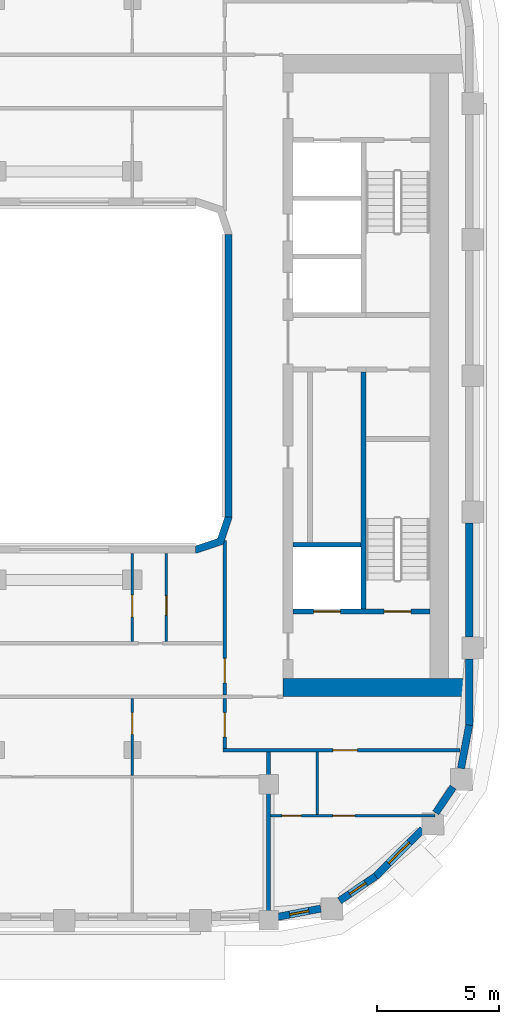
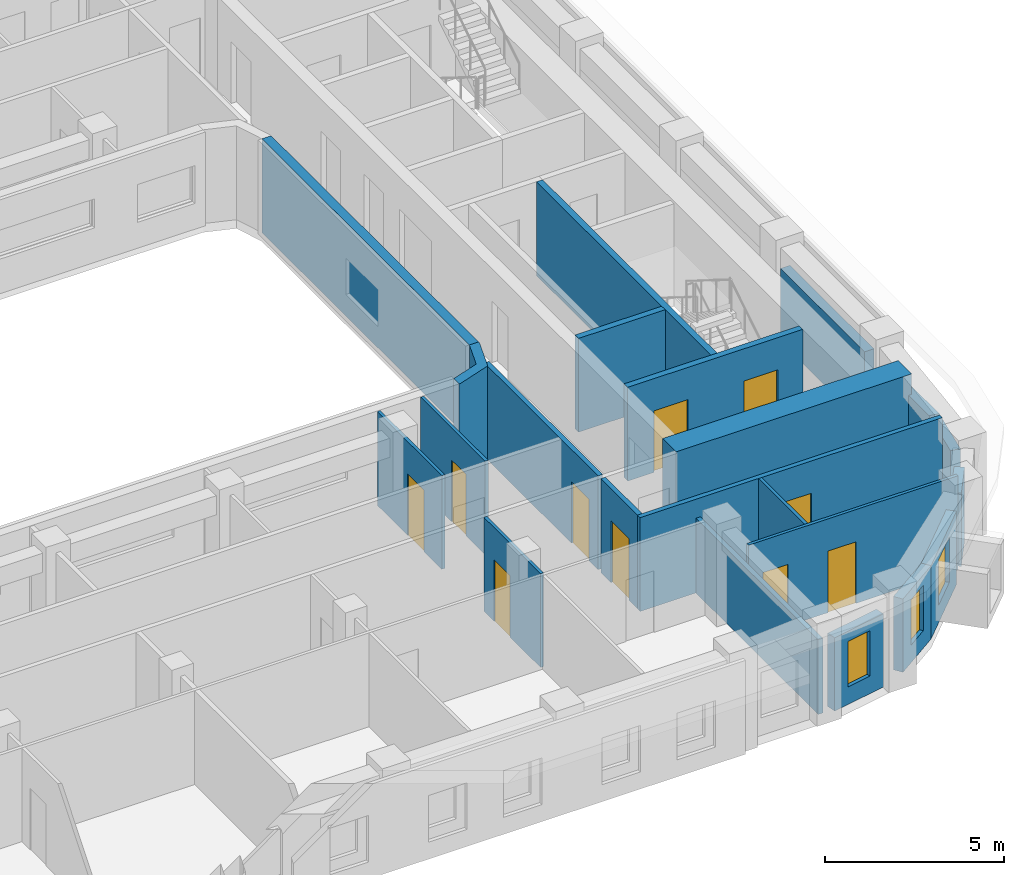
# One storey, part 5 of 21: 22 walls, 10 doors, 3 windows, 13 openings.
"""IFC4 building model written with IfcOpenShell, lengths in metres."""

from ifc_helpers import new_model, si_unit, direction, frame, frame_2d, origin, place, context, subcontext, project, spatial, polyline, rectangle, outline, extrude, material, layer, layer_set, type_object, element, fill, save


model = new_model("IFC4")

# Units and contexts
model_context = context("Model", 3, precision=1e-05, world=origin(), true_north=direction((0.0, 1.0)))
body_context = subcontext(model_context, "Body", "Model", "MODEL_VIEW")
ifc_project = project(units=[si_unit("LENGTHUNIT", "METRE"), si_unit("AREAUNIT", "SQUARE_METRE"), si_unit("VOLUMEUNIT", "CUBIC_METRE"), si_unit("PLANEANGLEUNIT", "RADIAN"), si_unit("MASSUNIT", "GRAM", prefix="KILO")], contexts=[model_context])

# Site, building, storey
site_placement = place(None, origin())
site = spatial("IfcSite", under=ifc_project, at=site_placement, CompositionType="ELEMENT")
building_placement = place(site_placement, origin())
building = spatial("IfcBuilding", under=site, at=building_placement, Name="Kiln Ring Residences", CompositionType="ELEMENT")
storey_placement = place(building_placement, frame((0.0, 0.0, 199.39990234375)))
storey = spatial("IfcBuildingStorey", under=building, at=storey_placement, Name="L51", CompositionType="ELEMENT", Elevation=199.39990234375)

# Walls
ifc_material_1 = material(Name="Gypsum shaft wall system")
ifc_layer_1 = layer(ifc_material_1, 0.199951171875)
ifc_layer_set_1 = layer_set([ifc_layer_1], Name="CORE-SHAFT-WALL-200")
wall_type_1 = type_object("IfcWallType", Name="CORE-SHAFT-WALL-200", PredefinedType="PARTITIONING", material=ifc_layer_set_1)
wall_1_placement = place(storey_placement, frame((17.800048828125, -6.949951171875, 0.0), z_axis=(0.0, 0.0, 1.0), x_axis=(1.0, 0.0, 0.0)))
element("IfcWall", 1, at=wall_1_placement, inside=storey, type_object=wall_type_1, Name="Core partition east L51 3", PredefinedType="PARTITIONING", context=body_context, shape_type="SweptSolid", body=[
    extrude(rectangle(XDim=2.800048828125, YDim=0.199951171875, at=frame_2d((1.39990234375, 0.0))), origin(), (0.0, 0.0, 1.0), 3.2001953125),
])
ifc_material_2 = material(Name="Concrete C40/50", Category="concrete")
ifc_layer_2 = layer(ifc_material_2, 0.199951171875)
ifc_layer_set_2 = layer_set([ifc_layer_2], Name="CORE-WALL-RC200")
wall_type_2 = type_object("IfcWallType", Name="CORE-WALL-RC200", PredefinedType="SHEAR", material=ifc_layer_set_2)
wall_2_placement = place(storey_placement, frame((20.699951171875, -9.60009765625, 0.0), z_axis=(0.0, 0.0, 1.0), x_axis=(0.0, 1.0, 0.0)))
element("IfcWall", 2, at=wall_2_placement, inside=storey, type_object=wall_type_2, Name="Core wall east L51 2", PredefinedType="SHEAR", context=body_context, shape_type="SweptSolid", body=[
    extrude(rectangle(XDim=9.75, YDim=0.199951171875, at=frame_2d((4.875, 0.0))), origin(), (0.0, 0.0, 1.0), 3.2001953125),
])

# Wall, openings, doors
wall_3_placement = place(storey_placement, frame((17.800048828125, -9.699951171875, 0.0), z_axis=(0.0, 0.0, 1.0), x_axis=(1.0, 0.0, 0.0)))
wall_3 = element("IfcWall", 3, at=wall_3_placement, inside=storey, type_object=wall_type_2, Name="Core wall east L51 8", PredefinedType="SHEAR", context=body_context, shape_type="SweptSolid", body=[
    extrude(rectangle(XDim=5.64990234375, YDim=0.199951171875, at=frame_2d((2.824951171875, 0.0))), origin(), (0.0, 0.0, 1.0), 3.2001953125),
])
opening_1_placement = place(wall_3_placement, frame((0.85009765625, 0.0, 0.0)))
opening_1 = element("IfcOpeningElement", 4, at=opening_1_placement, cuts=wall_3, Name="Opening L51-CE01", PredefinedType="OPENING", context=body_context, shape_type="SweptSolid", body=[
    extrude(rectangle(XDim=1.10009765625, YDim=2.10009765625, at=frame_2d((0.550048828125, 1.050048828125))), frame((0.0, 0.10986328125, 0.0), z_axis=(0.0, -1.0, 0.0), x_axis=(1.0, 0.0, 0.0)), (0.0, 0.0, 1.0), 0.219970703125),
])
opening_2_placement = place(wall_3_placement, frame((3.75, 0.0, 0.0)))
opening_2 = element("IfcOpeningElement", 5, at=opening_2_placement, cuts=wall_3, Name="Opening L51-CE10", PredefinedType="OPENING", context=body_context, shape_type="SweptSolid", body=[
    extrude(rectangle(XDim=1.10009765625, YDim=2.10009765625, at=frame_2d((0.550048828125, 1.050048828125))), frame((0.0, 0.10986328125, 0.0), z_axis=(0.0, -1.0, 0.0), x_axis=(1.0, 0.0, 0.0)), (0.0, 0.0, 1.0), 0.219970703125),
])
ifc_material_3 = material(Name="Steel door leaf", Category="steel")
door_type_1 = type_object("IfcDoorType", Name="CORE-DOOR-LD", OperationType="DOUBLE_DOOR_SLIDING", PredefinedType="DOOR", material=ifc_material_3)
door_1_placement = place(opening_1_placement, origin())
door_1 = element("IfcDoor", 6, at=door_1_placement, inside=storey, type_object=door_type_1, Name="LD E-SV L51-CE01", OperationType="DOUBLE_DOOR_SLIDING", OverallHeight=2.10009765625, OverallWidth=1.10009765625, PredefinedType="DOOR", context=body_context, shape_type="SweptSolid", body=[
    extrude(rectangle(XDim=1.10009765625, YDim=2.10009765625, at=frame_2d((0.550048828125, 1.050048828125))), frame((0.0, 0.02490234375, 0.0), z_axis=(0.0, -1.0, 0.0), x_axis=(1.0, 0.0, 0.0)), (0.0, 0.0, 1.0), 0.050048828125),
])
fill(opening_1, door_1)
ifc_material_4 = material(Name="Steel door leaf", Category="steel")
door_type_2 = type_object("IfcDoorType", Name="CORE-DOOR-STAIR", OperationType="SINGLE_SWING_LEFT", PredefinedType="DOOR", material=ifc_material_4)
door_2_placement = place(opening_2_placement, origin())
door_2 = element("IfcDoor", 7, at=door_2_placement, inside=storey, type_object=door_type_2, Name="Stair E-STS L51-CE10", OperationType="SINGLE_SWING_RIGHT", OverallHeight=2.10009765625, OverallWidth=1.10009765625, PredefinedType="DOOR", context=body_context, shape_type="SweptSolid", body=[
    extrude(rectangle(XDim=1.10009765625, YDim=2.10009765625, at=frame_2d((0.550048828125, 1.050048828125))), frame((0.0, 0.02490234375, 0.0), z_axis=(0.0, -1.0, 0.0), x_axis=(1.0, 0.0, 0.0)), (0.0, 0.0, 1.0), 0.050048828125),
])
fill(opening_2, door_2)

# Wall
ifc_material_5 = material(Name="Concrete C60/75", Category="concrete")
ifc_layer_3 = layer(ifc_material_5, 0.75)
ifc_layer_set_3 = layer_set([ifc_layer_3], Name="CORE-WALL-RC750")
wall_type_3 = type_object("IfcWallType", Name="CORE-WALL-RC750", PredefinedType="SHEAR", material=ifc_layer_set_3)
wall_4_placement = place(storey_placement, frame((17.39990234375, -12.824951171875, 0.0), z_axis=(0.0, 0.0, 1.0), x_axis=(1.0, 0.0, 0.0)))
element("IfcWall", 8, at=wall_4_placement, inside=storey, type_object=wall_type_3, Name="Core wall east L51 5", PredefinedType="SHEAR", context=body_context, shape_type="SweptSolid", body=[
    extrude(rectangle(XDim=7.60009765625, YDim=0.75, at=frame_2d((3.800048828125, 0.0))), origin(), (0.0, 0.0, 1.0), 3.2001953125),
])

# Wall, opening, window
ifc_material_6 = material(Name="Brick masonry, dark clay brick", Category="masonry")
ifc_layer_4 = layer(ifc_material_6, 0.300048828125)
ifc_layer_set_4 = layer_set([ifc_layer_4], Name="EW-300 BRICK WALL")
wall_type_4 = type_object("IfcWallType", Name="EW-300 BRICK WALL", PredefinedType="SOLIDWALL", material=ifc_layer_set_4)
wall_5_placement = place(storey_placement, frame((17.178955078125, -22.251220703125, 0.0), z_axis=(0.0, 0.0, 1.0), x_axis=(0.98230529033, 0.187286722942, 0.0)))
wall_5 = element("IfcWall", 9, at=wall_5_placement, inside=storey, type_object=wall_type_4, Name="Facade wall L51 11", PredefinedType="SOLIDWALL", context=body_context, shape_type="SweptSolid", body=[
    extrude(rectangle(XDim=1.798828125, YDim=0.300048828125, at=frame_2d((0.8994140625, 0.0))), origin(), (0.0, 0.0, 1.0), 2.5),
])
opening_3_placement = place(wall_5_placement, frame((0.49951171875, 0.0, 0.60009765625)))
opening_3 = element("IfcOpeningElement", 10, at=opening_3_placement, cuts=wall_5, Name="Opening W5", PredefinedType="OPENING", context=body_context, shape_type="SweptSolid", body=[
    extrude(rectangle(XDim=0.800048828125, YDim=1.550048828125, at=frame_2d((0.39990234375, 0.77490234375))), frame((0.0, 0.159912109375, 0.0), z_axis=(0.0, -1.0, 0.0), x_axis=(1.0, 0.0, 0.0)), (0.0, 0.0, 1.0), 0.320068359375),
])
ifc_material_7 = material(Name="Aluminium frame with double glazing", Category="aluminium")
window_type_1 = type_object("IfcWindowType", Name="WINDOW 800 x 1550", PartitioningType="SINGLE_PANEL", PredefinedType="WINDOW", material=ifc_material_7)
window_1_placement = place(opening_3_placement, origin())
window_1 = element("IfcWindow", 11, at=window_1_placement, inside=storey, type_object=window_type_1, Name="Window L51 14", OverallHeight=1.550048828125, OverallWidth=0.800048828125, PartitioningType="SINGLE_PANEL", PredefinedType="WINDOW", context=body_context, shape_type="SweptSolid", body=[
    extrude(rectangle(XDim=0.800048828125, YDim=1.550048828125, at=frame_2d((0.39990234375, 0.77490234375))), frame((0.0, 0.030029296875, 0.0), z_axis=(0.0, -1.0, 0.0), x_axis=(1.0, 0.0, 0.0)), (0.0, 0.0, 1.0), 0.06005859375),
])
fill(opening_3, window_1)

wall_6_placement = place(storey_placement, frame((19.718994140625, -21.593994140625, 0.0), z_axis=(0.0, 0.0, 1.0), x_axis=(0.827067282455, 0.562102935673, 0.0)))
wall_6 = element("IfcWall", 12, at=wall_6_placement, inside=storey, type_object=wall_type_4, Name="Facade wall L51 12", PredefinedType="SOLIDWALL", context=body_context, shape_type="SweptSolid", body=[
    extrude(rectangle(XDim=1.805908203125, YDim=0.300048828125, at=frame_2d((0.90283203125, 0.0))), origin(), (0.0, 0.0, 1.0), 2.5),
])
opening_4_placement = place(wall_6_placement, frame((0.5029296875, 0.0, 0.60009765625)))
opening_4 = element("IfcOpeningElement", 13, at=opening_4_placement, cuts=wall_6, Name="Opening W5", PredefinedType="OPENING", context=body_context, shape_type="SweptSolid", body=[
    extrude(rectangle(XDim=0.800048828125, YDim=1.550048828125, at=frame_2d((0.39990234375, 0.77490234375))), frame((0.0, 0.159912109375, 0.0), z_axis=(0.0, -1.0, 0.0), x_axis=(1.0, 0.0, 0.0)), (0.0, 0.0, 1.0), 0.320068359375),
])
window_2_placement = place(opening_4_placement, origin())
window_2 = element("IfcWindow", 14, at=window_2_placement, inside=storey, type_object=window_type_1, Name="Window L51 15", OverallHeight=1.550048828125, OverallWidth=0.800048828125, PartitioningType="SINGLE_PANEL", PredefinedType="WINDOW", context=body_context, shape_type="SweptSolid", body=[
    extrude(rectangle(XDim=0.800048828125, YDim=1.550048828125, at=frame_2d((0.39990234375, 0.77490234375))), frame((0.0, 0.030029296875, 0.0), z_axis=(0.0, -1.0, 0.0), x_axis=(1.0, 0.0, 0.0)), (0.0, 0.0, 1.0), 0.06005859375),
])
fill(opening_4, window_2)

wall_7_placement = place(storey_placement, frame((21.19091796875, -20.596923828125, 0.0), z_axis=(0.0, 0.0, 1.0), x_axis=(0.707106781187, 0.707106781187, 0.0)))
wall_7 = element("IfcWall", 15, at=wall_7_placement, inside=storey, type_object=wall_type_4, Name="Facade wall L51 13", PredefinedType="SOLIDWALL", context=body_context, shape_type="SweptSolid", body=[
    extrude(rectangle(XDim=2.75, YDim=0.300048828125, at=frame_2d((1.375, 0.0))), origin(), (0.0, 0.0, 1.0), 2.5),
])
opening_5_placement = place(wall_7_placement, frame((0.77490234375, 0.0, 0.60009765625)))
opening_5 = element("IfcOpeningElement", 16, at=opening_5_placement, cuts=wall_7, Name="Opening W1", PredefinedType="OPENING", context=body_context, shape_type="SweptSolid", body=[
    extrude(rectangle(XDim=1.199951171875, YDim=1.550048828125, at=frame_2d((0.60009765625, 0.77490234375))), frame((0.0, 0.159912109375, 0.0), z_axis=(0.0, -1.0, 0.0), x_axis=(1.0, 0.0, 0.0)), (0.0, 0.0, 1.0), 0.320068359375),
])
ifc_material_8 = material(Name="Aluminium frame with double glazing", Category="aluminium")
window_type_2 = type_object("IfcWindowType", Name="WINDOW 1200 x 1550", PartitioningType="SINGLE_PANEL", PredefinedType="WINDOW", material=ifc_material_8)
window_3_placement = place(opening_5_placement, origin())
window_3 = element("IfcWindow", 17, at=window_3_placement, inside=storey, type_object=window_type_2, Name="Window L51 16", OverallHeight=1.550048828125, OverallWidth=1.199951171875, PartitioningType="SINGLE_PANEL", PredefinedType="WINDOW", context=body_context, shape_type="SweptSolid", body=[
    extrude(rectangle(XDim=1.199951171875, YDim=1.550048828125, at=frame_2d((0.60009765625, 0.77490234375))), frame((0.0, 0.030029296875, 0.0), z_axis=(0.0, -1.0, 0.0), x_axis=(1.0, 0.0, 0.0)), (0.0, 0.0, 1.0), 0.06005859375),
])
fill(opening_5, window_3)

# Walls
wall_8_placement = place(storey_placement, frame((23.67626953125, -17.975341796875, 0.0), z_axis=(0.0, 0.0, 1.0), x_axis=(0.56200149592, 0.827136215253, 0.0)))
element("IfcWall", 18, at=wall_8_placement, inside=storey, type_object=wall_type_4, Name="Facade wall L51 14", PredefinedType="SOLIDWALL", context=body_context, shape_type="SweptSolid", body=[
    extrude(rectangle(XDim=1.277099609375, YDim=0.300048828125, at=frame_2d((0.638671875, 0.0))), origin(), (0.0, 0.0, 1.0), 2.5),
])
wall_9_placement = place(storey_placement, frame((24.71435546875, -16.14599609375, 0.0), z_axis=(0.0, 0.0, 1.0), x_axis=(0.187348135549, 0.982293579388, 0.0)))
element("IfcWall", 19, at=wall_9_placement, inside=storey, type_object=wall_type_4, Name="Facade wall L51 15", PredefinedType="SOLIDWALL", context=body_context, shape_type="SweptSolid", body=[
    extrude(rectangle(XDim=1.80615234375, YDim=0.300048828125, at=frame_2d((0.903076171875, 0.0))), origin(), (0.0, 0.0, 1.0), 2.5),
])
wall_10_placement = place(storey_placement, frame((25.050048828125, -14.39990234375, 0.0), z_axis=(0.0, 0.0, 1.0), x_axis=(0.0, 1.0, 0.0)))
element("IfcWall", 20, at=wall_10_placement, inside=storey, type_object=wall_type_4, Name="Facade wall L51 16", PredefinedType="SOLIDWALL", context=body_context, shape_type="SweptSolid", body=[
    extrude(rectangle(XDim=2.75, YDim=0.300048828125, at=frame_2d((1.375, 0.0))), origin(), (0.0, 0.0, 1.0), 2.5),
])
wall_11_placement = place(storey_placement, frame((25.050048828125, -10.75, 0.0), z_axis=(0.0, 0.0, 1.0), x_axis=(0.0, 1.0, 0.0)))
element("IfcWall", 21, at=wall_11_placement, inside=storey, type_object=wall_type_4, Name="Facade wall L51 17", PredefinedType="SOLIDWALL", context=body_context, shape_type="SweptSolid", body=[
    extrude(rectangle(XDim=4.699951171875, YDim=0.300048828125, at=frame_2d((2.35009765625, 0.0))), origin(), (0.0, 0.0, 1.0), 2.5),
])
wall_12_placement = place(storey_placement, frame((15.14990234375, 5.800048828125, 0.0), z_axis=(0.0, 0.0, 1.0), x_axis=(0.0, -1.0, 0.0)))
element("IfcWall", 22, at=wall_12_placement, inside=storey, type_object=wall_type_4, Name="Facade wall L51 49", PredefinedType="SOLIDWALL", context=body_context, shape_type="SweptSolid", body=[
    extrude(rectangle(XDim=11.60009765625, YDim=0.300048828125, at=frame_2d((5.800048828125, 0.0))), origin(), (0.0, 0.0, 1.0), 3.2001953125),
])
wall_13_placement = place(storey_placement, origin())
element("IfcWall", 23, at=wall_13_placement, inside=storey, type_object=wall_type_4, Name="Corner wall L51 3", PredefinedType="SOLIDWALL", context=body_context, shape_type="SweptSolid", body=[
    extrude(outline(polyline([(14.937255859375, -6.937255859375), (15.300048828125, -5.8486328125), (15.300048828125, -5.800048828125), (15.0, -5.800048828125), (14.699951171875, -6.699951171875), (13.800048828125, -7.0), (13.800048828125, -7.300048828125), (13.8486328125, -7.300048828125), (14.937255859375, -6.937255859375)])), origin(), (0.0, 0.0, 1.0), 3.2001953125),
])

# Wall, openings, doors
ifc_material_9 = material(Name="Gypsum board on steel studs", Category="steel")
ifc_layer_5 = layer(ifc_material_9, 0.10009765625)
ifc_layer_set_5 = layer_set([ifc_layer_5], Name="PARTITION-100")
wall_type_5 = type_object("IfcWallType", Name="PARTITION-100", PredefinedType="PARTITIONING", material=ifc_layer_set_5)
wall_14_placement = place(storey_placement, frame((16.875, -18.10009765625, 0.0), z_axis=(0.0, 0.0, 1.0), x_axis=(1.0, 0.0, 0.0)))
wall_14 = element("IfcWall", 24, at=wall_14_placement, inside=storey, type_object=wall_type_5, Name="Partition 001", PredefinedType="PARTITIONING", context=body_context, shape_type="SweptSolid", body=[
    extrude(rectangle(XDim=6.764892578125, YDim=0.10009765625, at=frame_2d((3.38232421875, 0.0))), origin(), (0.0, 0.0, 1.0), 3.2001953125),
])
opening_6_placement = place(wall_14_placement, frame((0.47509765625, 0.0, 0.0)))
opening_6 = element("IfcOpeningElement", 25, at=opening_6_placement, cuts=wall_14, Name="Opening L51-D058", PredefinedType="OPENING", context=body_context, shape_type="SweptSolid", body=[
    extrude(rectangle(XDim=0.800048828125, YDim=2.10009765625, at=frame_2d((0.39990234375, 1.050048828125))), frame((0.0, 0.06005859375, 0.0), z_axis=(0.0, -1.0, 0.0), x_axis=(1.0, 0.0, 0.0)), (0.0, 0.0, 1.0), 0.1201171875),
])
opening_7_placement = place(wall_14_placement, frame((2.574951171875, 0.0, 0.0)))
opening_7 = element("IfcOpeningElement", 26, at=opening_7_placement, cuts=wall_14, Name="Opening L51-D059", PredefinedType="OPENING", context=body_context, shape_type="SweptSolid", body=[
    extrude(rectangle(XDim=0.89990234375, YDim=2.10009765625, at=frame_2d((0.449951171875, 1.050048828125))), frame((0.0, 0.06005859375, 0.0), z_axis=(0.0, -1.0, 0.0), x_axis=(1.0, 0.0, 0.0)), (0.0, 0.0, 1.0), 0.1201171875),
])
ifc_material_10 = material(Name="Timber door leaf", Category="wood")
door_type_3 = type_object("IfcDoorType", Name="FLAT-DOOR-800-PL", OperationType="SINGLE_SWING_LEFT", PredefinedType="DOOR", material=ifc_material_10)
door_3_placement = place(opening_6_placement, origin())
door_3 = element("IfcDoor", 27, at=door_3_placement, inside=storey, type_object=door_type_3, Name="Door L51-D058", OperationType="SINGLE_SWING_RIGHT", OverallHeight=2.10009765625, OverallWidth=0.800048828125, PredefinedType="DOOR", context=body_context, shape_type="SweptSolid", body=[
    extrude(rectangle(XDim=0.800048828125, YDim=2.10009765625, at=frame_2d((0.39990234375, 1.050048828125))), frame((0.0, 0.02490234375, 0.0), z_axis=(0.0, -1.0, 0.0), x_axis=(1.0, 0.0, 0.0)), (0.0, 0.0, 1.0), 0.050048828125),
])
fill(opening_6, door_3)
ifc_material_11 = material(Name="Timber door leaf", Category="wood")
door_type_4 = type_object("IfcDoorType", Name="FLAT-DOOR-900-PL", OperationType="SINGLE_SWING_LEFT", PredefinedType="DOOR", material=ifc_material_11)
door_4_placement = place(opening_7_placement, origin())
door_4 = element("IfcDoor", 28, at=door_4_placement, inside=storey, type_object=door_type_4, Name="Door L51-D059", OperationType="SINGLE_SWING_LEFT", OverallHeight=2.10009765625, OverallWidth=0.89990234375, PredefinedType="DOOR", context=body_context, shape_type="SweptSolid", body=[
    extrude(rectangle(XDim=0.89990234375, YDim=2.10009765625, at=frame_2d((0.449951171875, 1.050048828125))), frame((0.0, 0.02490234375, 0.0), z_axis=(0.0, -1.0, 0.0), x_axis=(1.0, 0.0, 0.0)), (0.0, 0.0, 1.0), 0.050048828125),
])
fill(opening_7, door_4)

# Wall, opening, door
wall_15_placement = place(storey_placement, frame((11.199951171875, -16.449951171875, 0.0), z_axis=(0.0, 0.0, 1.0), x_axis=(0.0, 1.0, 0.0)))
wall_15 = element("IfcWall", 29, at=wall_15_placement, inside=storey, type_object=wall_type_5, Name="Partition 051", PredefinedType="PARTITIONING", context=body_context, shape_type="SweptSolid", body=[
    extrude(rectangle(XDim=3.175048828125, YDim=0.10009765625, at=frame_2d((1.58740234375, 0.0))), origin(), (0.0, 0.0, 1.0), 3.2001953125),
])
opening_8_placement = place(wall_15_placement, frame((1.698974609375, 0.0, 0.0)))
opening_8 = element("IfcOpeningElement", 30, at=opening_8_placement, cuts=wall_15, Name="Opening L51-D052", PredefinedType="OPENING", context=body_context, shape_type="SweptSolid", body=[
    extrude(rectangle(XDim=0.89990234375, YDim=2.10009765625, at=frame_2d((0.449951171875, 1.050048828125))), frame((0.0, 0.06005859375, 0.0), z_axis=(0.0, -1.0, 0.0), x_axis=(1.0, 0.0, 0.0)), (0.0, 0.0, 1.0), 0.1201171875),
])
door_5_placement = place(opening_8_placement, origin())
door_5 = element("IfcDoor", 31, at=door_5_placement, inside=storey, type_object=door_type_4, Name="Door L51-D052", OperationType="SINGLE_SWING_LEFT", OverallHeight=2.10009765625, OverallWidth=0.89990234375, PredefinedType="DOOR", context=body_context, shape_type="SweptSolid", body=[
    extrude(rectangle(XDim=0.89990234375, YDim=2.10009765625, at=frame_2d((0.449951171875, 1.050048828125))), frame((0.0, 0.02490234375, 0.0), z_axis=(0.0, -1.0, 0.0), x_axis=(1.0, 0.0, 0.0)), (0.0, 0.0, 1.0), 0.050048828125),
])
fill(opening_8, door_5)

wall_16_placement = place(storey_placement, frame((11.199951171875, -10.925048828125, 0.0), z_axis=(0.0, 0.0, 1.0), x_axis=(0.0, 1.0, 0.0)))
wall_16 = element("IfcWall", 32, at=wall_16_placement, inside=storey, type_object=wall_type_5, Name="Partition 052", PredefinedType="PARTITIONING", context=body_context, shape_type="SweptSolid", body=[
    extrude(rectangle(XDim=3.60498046875, YDim=0.10009765625, at=frame_2d((1.802490234375, 0.0))), origin(), (0.0, 0.0, 1.0), 3.2001953125),
])
opening_9_placement = place(wall_16_placement, frame((1.0048828125, 0.0, 0.0)))
opening_9 = element("IfcOpeningElement", 33, at=opening_9_placement, cuts=wall_16, Name="Opening L51-D043", PredefinedType="OPENING", context=body_context, shape_type="SweptSolid", body=[
    extrude(rectangle(XDim=0.89990234375, YDim=2.10009765625, at=frame_2d((0.449951171875, 1.050048828125))), frame((0.0, 0.06005859375, 0.0), z_axis=(0.0, -1.0, 0.0), x_axis=(1.0, 0.0, 0.0)), (0.0, 0.0, 1.0), 0.1201171875),
])
door_6_placement = place(opening_9_placement, origin())
door_6 = element("IfcDoor", 34, at=door_6_placement, inside=storey, type_object=door_type_4, Name="Door L51-D043", OperationType="SINGLE_SWING_RIGHT", OverallHeight=2.10009765625, OverallWidth=0.89990234375, PredefinedType="DOOR", context=body_context, shape_type="SweptSolid", body=[
    extrude(rectangle(XDim=0.89990234375, YDim=2.10009765625, at=frame_2d((0.449951171875, 1.050048828125))), frame((0.0, 0.02490234375, 0.0), z_axis=(0.0, -1.0, 0.0), x_axis=(1.0, 0.0, 0.0)), (0.0, 0.0, 1.0), 0.050048828125),
])
fill(opening_9, door_6)

wall_17_placement = place(storey_placement, frame((12.60009765625, -10.925048828125, 0.0), z_axis=(0.0, 0.0, 1.0), x_axis=(0.0, 1.0, 0.0)))
wall_17 = element("IfcWall", 35, at=wall_17_placement, inside=storey, type_object=wall_type_5, Name="Partition 056", PredefinedType="PARTITIONING", context=body_context, shape_type="SweptSolid", body=[
    extrude(rectangle(XDim=3.60498046875, YDim=0.10009765625, at=frame_2d((1.802490234375, 0.0))), origin(), (0.0, 0.0, 1.0), 3.2001953125),
])
opening_10_placement = place(wall_17_placement, frame((1.075927734375, 0.0, 0.0)))
opening_10 = element("IfcOpeningElement", 36, at=opening_10_placement, cuts=wall_17, Name="Opening L51-D042", PredefinedType="OPENING", context=body_context, shape_type="SweptSolid", body=[
    extrude(rectangle(XDim=0.800048828125, YDim=2.10009765625, at=frame_2d((0.39990234375, 1.050048828125))), frame((0.0, 0.06005859375, 0.0), z_axis=(0.0, -1.0, 0.0), x_axis=(1.0, 0.0, 0.0)), (0.0, 0.0, 1.0), 0.1201171875),
])
door_7_placement = place(opening_10_placement, origin())
door_7 = element("IfcDoor", 37, at=door_7_placement, inside=storey, type_object=door_type_3, Name="Door L51-D042", OperationType="SINGLE_SWING_LEFT", OverallHeight=2.10009765625, OverallWidth=0.800048828125, PredefinedType="DOOR", context=body_context, shape_type="SweptSolid", body=[
    extrude(rectangle(XDim=0.800048828125, YDim=2.10009765625, at=frame_2d((0.39990234375, 1.050048828125))), frame((0.0, 0.02490234375, 0.0), z_axis=(0.0, -1.0, 0.0), x_axis=(1.0, 0.0, 0.0)), (0.0, 0.0, 1.0), 0.050048828125),
])
fill(opening_10, door_7)

# Wall
wall_18_placement = place(storey_placement, frame((18.800048828125, -18.050048828125, 0.0), z_axis=(0.0, 0.0, 1.0), x_axis=(0.0, 1.0, 0.0)))
element("IfcWall", 38, at=wall_18_placement, inside=storey, type_object=wall_type_5, Name="Partition 064", PredefinedType="PARTITIONING", context=body_context, shape_type="SweptSolid", body=[
    extrude(rectangle(XDim=2.574951171875, YDim=0.10009765625, at=frame_2d((1.28759765625, 0.0))), origin(), (0.0, 0.0, 1.0), 3.2001953125),
])

# Wall, opening, door
ifc_material_12 = material(Name="Brick masonry partition", Category="masonry")
ifc_layer_6 = layer(ifc_material_12, 0.14990234375)
ifc_layer_set_6 = layer_set([ifc_layer_6], Name="PARTITION-150-ei60")
wall_type_6 = type_object("IfcWallType", Name="PARTITION-150-ei60", PredefinedType="PARTITIONING", material=ifc_layer_set_6)
wall_19_placement = place(storey_placement, frame((14.925048828125, -15.39990234375, 0.0), z_axis=(0.0, 0.0, 1.0), x_axis=(1.0, 0.0, 0.0)))
wall_19 = element("IfcWall", 39, at=wall_19_placement, inside=storey, type_object=wall_type_6, Name="Partition 004", PredefinedType="PARTITIONING", context=body_context, shape_type="SweptSolid", body=[
    extrude(rectangle(XDim=9.7587890625, YDim=0.14990234375, at=frame_2d((4.87939453125, 0.0))), origin(), (0.0, 0.0, 1.0), 3.2001953125),
])
opening_11_placement = place(wall_19_placement, frame((4.52490234375, 0.0, 0.0)))
opening_11 = element("IfcOpeningElement", 40, at=opening_11_placement, cuts=wall_19, Name="Opening L51-D057", PredefinedType="OPENING", context=body_context, shape_type="SweptSolid", body=[
    extrude(rectangle(XDim=1.0, YDim=2.10009765625, at=frame_2d((0.5, 1.050048828125))), frame((0.0, 0.0849609375, 0.0), z_axis=(0.0, -1.0, 0.0), x_axis=(1.0, 0.0, 0.0)), (0.0, 0.0, 1.0), 0.169921875),
])
ifc_material_13 = material(Name="Steel faced fire door leaf", Category="steel")
door_type_5 = type_object("IfcDoorType", Name="FLAT-DOOR-1000-FR", OperationType="SINGLE_SWING_LEFT", PredefinedType="DOOR", material=ifc_material_13)
door_8_placement = place(opening_11_placement, origin())
door_8 = element("IfcDoor", 41, at=door_8_placement, inside=storey, type_object=door_type_5, Name="Door L51-D057", OperationType="SINGLE_SWING_LEFT", OverallHeight=2.10009765625, OverallWidth=1.0, PredefinedType="DOOR", context=body_context, shape_type="SweptSolid", body=[
    extrude(rectangle(XDim=1.0, YDim=2.10009765625, at=frame_2d((0.5, 1.050048828125))), frame((0.0, 0.02490234375, 0.0), z_axis=(0.0, -1.0, 0.0), x_axis=(1.0, 0.0, 0.0)), (0.0, 0.0, 1.0), 0.050048828125),
])
fill(opening_11, door_8)

wall_20_placement = place(storey_placement, frame((15.0, -15.324951171875, 0.0), z_axis=(0.0, 0.0, 1.0), x_axis=(0.0, 1.0, 0.0)))
wall_20 = element("IfcWall", 42, at=wall_20_placement, inside=storey, type_object=wall_type_6, Name="Partition 058", PredefinedType="PARTITIONING", context=body_context, shape_type="SweptSolid", body=[
    extrude(rectangle(XDim=2.050048828125, YDim=0.14990234375, at=frame_2d((1.02490234375, 0.0))), origin(), (0.0, 0.0, 1.0), 3.2001953125),
])
opening_12_placement = place(wall_20_placement, frame((0.47412109375, 0.0, 0.0)))
opening_12 = element("IfcOpeningElement", 43, at=opening_12_placement, cuts=wall_20, Name="Opening L51-D051", PredefinedType="OPENING", context=body_context, shape_type="SweptSolid", body=[
    extrude(rectangle(XDim=1.0, YDim=2.10009765625, at=frame_2d((0.5, 1.050048828125))), frame((0.0, 0.0849609375, 0.0), z_axis=(0.0, -1.0, 0.0), x_axis=(1.0, 0.0, 0.0)), (0.0, 0.0, 1.0), 0.169921875),
])
door_9_placement = place(opening_12_placement, origin())
door_9 = element("IfcDoor", 44, at=door_9_placement, inside=storey, type_object=door_type_5, Name="Door L51-D051", OperationType="SINGLE_SWING_LEFT", OverallHeight=2.10009765625, OverallWidth=1.0, PredefinedType="DOOR", context=body_context, shape_type="SweptSolid", body=[
    extrude(rectangle(XDim=1.0, YDim=2.10009765625, at=frame_2d((0.5, 1.050048828125))), frame((0.0, 0.02490234375, 0.0), z_axis=(0.0, -1.0, 0.0), x_axis=(1.0, 0.0, 0.0)), (0.0, 0.0, 1.0), 0.050048828125),
])
fill(opening_12, door_9)

wall_21_placement = place(storey_placement, frame((15.0, -13.125, 0.0), z_axis=(0.0, 0.0, 1.0), x_axis=(0.0, 1.0, 0.0)))
wall_21 = element("IfcWall", 45, at=wall_21_placement, inside=storey, type_object=wall_type_6, Name="Partition 059", PredefinedType="PARTITIONING", context=body_context, shape_type="SweptSolid", body=[
    extrude(rectangle(XDim=6.356201171875, YDim=0.14990234375, at=frame_2d((3.17822265625, 0.0))), origin(), (0.0, 0.0, 1.0), 3.2001953125),
])
opening_13_placement = place(wall_21_placement, frame((0.49609375, 0.0, 0.0)))
opening_13 = element("IfcOpeningElement", 46, at=opening_13_placement, cuts=wall_21, Name="Opening L51-D006", PredefinedType="OPENING", context=body_context, shape_type="SweptSolid", body=[
    extrude(rectangle(XDim=1.0, YDim=2.10009765625, at=frame_2d((0.5, 1.050048828125))), frame((0.0, 0.0849609375, 0.0), z_axis=(0.0, -1.0, 0.0), x_axis=(1.0, 0.0, 0.0)), (0.0, 0.0, 1.0), 0.169921875),
])
door_10_placement = place(opening_13_placement, origin())
door_10 = element("IfcDoor", 47, at=door_10_placement, inside=storey, type_object=door_type_5, Name="Door L51-D006", OperationType="SINGLE_SWING_LEFT", OverallHeight=2.10009765625, OverallWidth=1.0, PredefinedType="DOOR", context=body_context, shape_type="SweptSolid", body=[
    extrude(rectangle(XDim=1.0, YDim=2.10009765625, at=frame_2d((0.5, 1.050048828125))), frame((0.0, 0.02490234375, 0.0), z_axis=(0.0, -1.0, 0.0), x_axis=(1.0, 0.0, 0.0)), (0.0, 0.0, 1.0), 0.050048828125),
])
fill(opening_13, door_10)

# Wall
wall_22_placement = place(storey_placement, frame((16.800048828125, -22.31005859375, 0.0), z_axis=(0.0, 0.0, 1.0), x_axis=(0.0, 1.0, 0.0)))
element("IfcWall", 48, at=wall_22_placement, inside=storey, type_object=wall_type_6, Name="Partition 062", PredefinedType="PARTITIONING", context=body_context, shape_type="SweptSolid", body=[
    extrude(rectangle(XDim=6.8349609375, YDim=0.14990234375, at=frame_2d((3.41748046875, 0.0))), origin(), (0.0, 0.0, 1.0), 2.550048828125),
])

save(model, "model.ifc")
